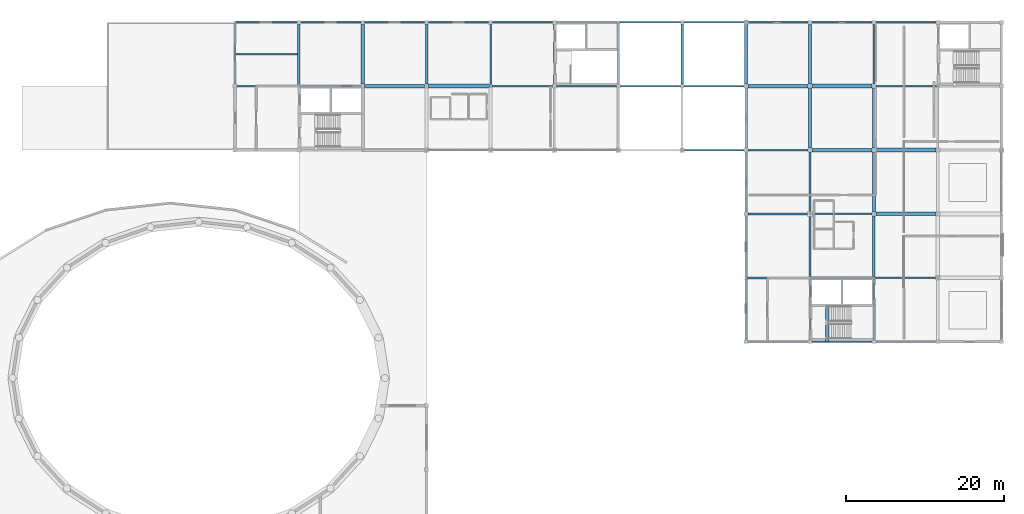
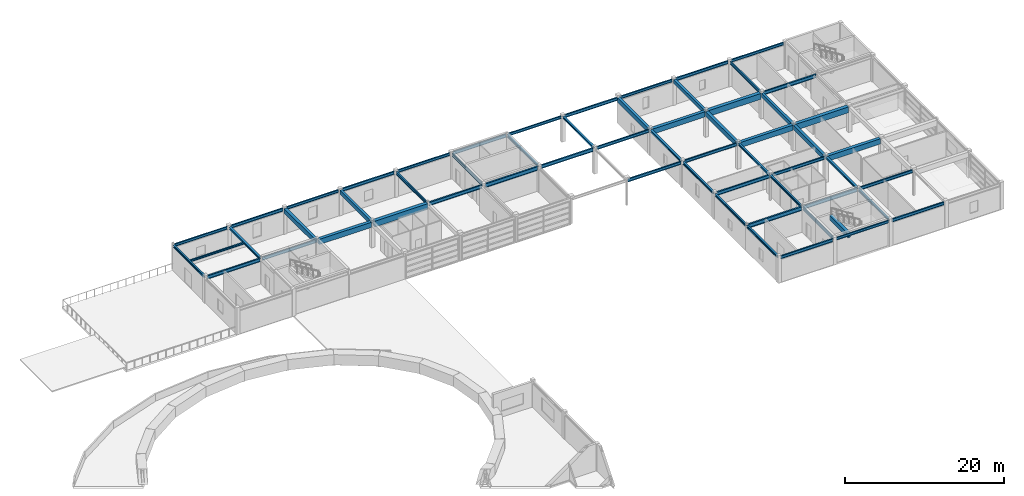
# One storey, part 12 of 26: 60 beams.
"""IFC4 building model written with IfcOpenShell, lengths in metres."""

from ifc_helpers import new_model, si_unit, direction, frame, origin, origin_2d, place, context, subcontext, project, spatial, rectangle, i_section, extrude, material, material_profile, profile_set, type_object, element, save


model = new_model("IFC4")

# Units and contexts
model_context = context("Model", 3, precision=1e-05, world=origin(), true_north=direction((0.0, 1.0)))
body_context = subcontext(model_context, "Body", "Model", "MODEL_VIEW")
ifc_project = project(units=[si_unit("LENGTHUNIT", "METRE"), si_unit("AREAUNIT", "SQUARE_METRE"), si_unit("VOLUMEUNIT", "CUBIC_METRE"), si_unit("PLANEANGLEUNIT", "RADIAN"), si_unit("MASSUNIT", "GRAM", prefix="KILO")], contexts=[model_context])

# Site, building, storey
site_placement = place(None, origin())
site = spatial("IfcSite", under=ifc_project, at=site_placement, CompositionType="ELEMENT")
building_placement = place(site_placement, origin())
building = spatial("IfcBuilding", under=site, at=building_placement, Name="Parian Resonance Hall", CompositionType="ELEMENT")
storey_placement = place(building_placement, frame((0.0, 0.0, 19.199951171875)))
storey = spatial("IfcBuildingStorey", under=building, at=storey_placement, Name="L04", CompositionType="ELEMENT", Elevation=19.199951171875)

# Beams
ifc_material_1 = material(Name="Concrete C40/50", Category="concrete")
ifc_material_profile_1 = material_profile(ifc_material_1, rectangle(XDim=0.35009765625, YDim=0.60009765625, at=origin_2d()), Name="RC-BM-350x600")
ifc_profile_set_1 = profile_set([ifc_material_profile_1], Name="Concrete C40/50")
beam_type_1 = type_object("IfcBeamType", Name="BM-RC350x600", PredefinedType="BEAM", material=ifc_profile_set_1)
for number, where, z_axis, x_axis, name in (
    (1, (72.89990234375, 81.25, 3.66015625), (0.0, 1.0, 0.0), (-1.0, 0.0, 0.0), "GY-L04-0979"),
    (2, (121.5, 81.25, 3.66015625), (0.0, 1.0, 0.0), (-1.0, 0.0, 0.0), "GY-L04-0997"),
    (3, (129.60009765625, 73.14990234375, 3.66015625), (0.0, 1.0, 0.0), (-1.0, 0.0, 0.0), "GY-L04-1001"),
):
    element("IfcBeam", number, at=place(storey_placement, frame(where, z_axis=z_axis, x_axis=x_axis)), inside=storey, type_object=beam_type_1, Name=name, PredefinedType="BEAM", context=body_context, shape_type="SweptSolid", body=[
        extrude(rectangle(XDim=0.35009765625, YDim=0.60009765625, at=origin_2d()), origin(), (0.0, 0.0, 1.0), 7.60009765625),
    ])
ifc_material_2 = material(Name="Concrete C40/50", Category="concrete")
ifc_material_profile_2 = material_profile(ifc_material_2, rectangle(XDim=0.39990234375, YDim=0.699951171875, at=origin_2d()), Name="RC-BM-400x700")
ifc_profile_set_2 = profile_set([ifc_material_profile_2], Name="Concrete C40/50")
beam_type_2 = type_object("IfcBeamType", Name="BM-RC400x700", PredefinedType="BEAM", material=ifc_profile_set_2)
beam_1_placement = place(storey_placement, frame((64.800048828125, 81.25, 3.610107421875), z_axis=(0.0, 1.0, 0.0), x_axis=(-1.0, 0.0, 0.0)))
element("IfcBeam", 4, at=beam_1_placement, inside=storey, type_object=beam_type_2, Name="GY-L04-0974", PredefinedType="BEAM", context=body_context, shape_type="SweptSolid", body=[
    extrude(rectangle(XDim=0.39990234375, YDim=0.699951171875, at=origin_2d()), origin(), (0.0, 0.0, 1.0), 7.60009765625),
])
beam_2_placement = place(storey_placement, frame((113.39990234375, 81.25, 3.610107421875), z_axis=(0.0, 1.0, 0.0), x_axis=(-1.0, 0.0, 0.0)))
element("IfcBeam", 5, at=beam_2_placement, inside=storey, type_object=beam_type_2, Name="GY-L04-0992", PredefinedType="BEAM", context=body_context, shape_type="SweptSolid", body=[
    extrude(rectangle(XDim=0.39990234375, YDim=0.699951171875, at=origin_2d()), origin(), (0.0, 0.0, 1.0), 7.72509765625),
])
beam_3_placement = place(storey_placement, frame((121.5, 73.14990234375, 3.610107421875), z_axis=(0.0, 1.0, 0.0), x_axis=(-1.0, 0.0, 0.0)))
element("IfcBeam", 6, at=beam_3_placement, inside=storey, type_object=beam_type_2, Name="GY-L04-0996", PredefinedType="BEAM", context=body_context, shape_type="SweptSolid", body=[
    extrude(rectangle(XDim=0.39990234375, YDim=0.699951171875, at=origin_2d()), origin(), (0.0, 0.0, 1.0), 7.60009765625),
])
beam_4_placement = place(storey_placement, frame((129.60009765625, 65.050048828125, 3.610107421875), z_axis=(0.0, 1.0, 0.0), x_axis=(-1.0, 0.0, 0.0)))
element("IfcBeam", 7, at=beam_4_placement, inside=storey, type_object=beam_type_2, Name="GY-L04-1000", PredefinedType="BEAM", context=body_context, shape_type="SweptSolid", body=[
    extrude(rectangle(XDim=0.39990234375, YDim=0.699951171875, at=origin_2d()), origin(), (0.0, 0.0, 1.0), 7.599853515625),
])
beam_5_placement = place(storey_placement, frame((123.659912109375, 48.60009765625, 3.610107421875), z_axis=(0.0, 1.0, 0.0), x_axis=(-1.0, 0.0, 0.0)))
element("IfcBeam", 8, at=beam_5_placement, inside=storey, type_object=beam_type_2, Name="Core K2 stair arrival trimmer beam L04", PredefinedType="BEAM", context=body_context, shape_type="SweptSolid", body=[
    extrude(rectangle(XDim=0.39990234375, YDim=0.699951171875, at=origin_2d()), origin(), (0.0, 0.0, 1.0), 4.64990234375),
])
ifc_material_3 = material(Name="Concrete C40/50", Category="concrete")
ifc_material_profile_3 = material_profile(ifc_material_3, rectangle(XDim=0.449951171875, YDim=0.800048828125, at=origin_2d()), Name="RC-BM-450x800")
ifc_profile_set_3 = profile_set([ifc_material_profile_3], Name="Concrete C40/50")
beam_type_3 = type_object("IfcBeamType", Name="BM-RC450x800", PredefinedType="USERDEFINED", material=ifc_profile_set_3)
beam_6_placement = place(storey_placement, frame((65.050048828125, 81.0, 3.56005859375), z_axis=(1.0, 0.0, 0.0), x_axis=(0.0, 1.0, 0.0)))
element("IfcBeam", 9, at=beam_6_placement, inside=storey, type_object=beam_type_3, Name="GX-L04-0927", ObjectType="GIRDER", PredefinedType="USERDEFINED", context=body_context, shape_type="SweptSolid", body=[
    extrude(rectangle(XDim=0.449951171875, YDim=0.800048828125, at=origin_2d()), origin(), (0.0, 0.0, 1.0), 7.599853515625),
])
for number, where, z_axis, x_axis, name in (
    (10, (113.64990234375, 81.0, 3.56005859375), (1.0, 0.0, 0.0), (0.0, 1.0, 0.0), "GX-L04-0948"),
    (11, (121.75, 72.89990234375, 3.56005859375), (1.0, 0.0, 0.0), (0.0, 1.0, 0.0), "GX-L04-0953"),
):
    element("IfcBeam", number, at=place(storey_placement, frame(where, z_axis=z_axis, x_axis=x_axis)), inside=storey, type_object=beam_type_3, Name=name, ObjectType="GIRDER", PredefinedType="USERDEFINED", context=body_context, shape_type="SweptSolid", body=[
        extrude(rectangle(XDim=0.449951171875, YDim=0.800048828125, at=origin_2d()), origin(), (0.0, 0.0, 1.0), 7.60009765625),
    ])
beam_7_placement = place(storey_placement, frame((129.85009765625, 64.800048828125, 3.56005859375), z_axis=(1.0, 0.0, 0.0), x_axis=(0.0, 1.0, 0.0)))
element("IfcBeam", 12, at=beam_7_placement, inside=storey, type_object=beam_type_3, Name="GX-L04-0958", ObjectType="GIRDER", PredefinedType="USERDEFINED", context=body_context, shape_type="SweptSolid", body=[
    extrude(rectangle(XDim=0.449951171875, YDim=0.800048828125, at=origin_2d()), origin(), (0.0, 0.0, 1.0), 7.599853515625),
])
ifc_material_4 = material(Name="Concrete C40/50", Category="concrete")
ifc_material_profile_4 = material_profile(ifc_material_4, rectangle(XDim=0.5, YDim=0.89990234375, at=origin_2d()), Name="RC-BM-500x900")
ifc_profile_set_4 = profile_set([ifc_material_profile_4], Name="Concrete C40/50")
beam_type_4 = type_object("IfcBeamType", Name="BM-RC500x900", PredefinedType="USERDEFINED", material=ifc_profile_set_4)
beam_8_placement = place(storey_placement, frame((73.14990234375, 81.0, 3.510009765625), z_axis=(1.0, 0.0, 0.0), x_axis=(0.0, 1.0, 0.0)))
element("IfcBeam", 13, at=beam_8_placement, inside=storey, type_object=beam_type_4, Name="GX-L04-0930", ObjectType="GIRDER", PredefinedType="USERDEFINED", context=body_context, shape_type="SweptSolid", body=[
    extrude(rectangle(XDim=0.5, YDim=0.89990234375, at=origin_2d()), origin(), (0.0, 0.0, 1.0), 7.697509765625),
])
beam_9_placement = place(storey_placement, frame((121.75, 81.0, 3.510009765625), z_axis=(1.0, 0.0, 0.0), x_axis=(0.0, 1.0, 0.0)))
element("IfcBeam", 14, at=beam_9_placement, inside=storey, type_object=beam_type_4, Name="GX-L04-0954", ObjectType="GIRDER", PredefinedType="USERDEFINED", context=body_context, shape_type="SweptSolid", body=[
    extrude(rectangle(XDim=0.5, YDim=0.89990234375, at=origin_2d()), origin(), (0.0, 0.0, 1.0), 7.60009765625),
])
beam_10_placement = place(storey_placement, frame((129.85009765625, 72.89990234375, 3.510009765625), z_axis=(1.0, 0.0, 0.0), x_axis=(0.0, 1.0, 0.0)))
element("IfcBeam", 15, at=beam_10_placement, inside=storey, type_object=beam_type_4, Name="GX-L04-0959", ObjectType="GIRDER", PredefinedType="USERDEFINED", context=body_context, shape_type="SweptSolid", body=[
    extrude(rectangle(XDim=0.5, YDim=0.89990234375, at=origin_2d()), origin(), (0.0, 0.0, 1.0), 7.599853515625),
])
ifc_material_5 = material(Name="Steel S355", Category="steel")
ifc_material_profile_5 = material_profile(ifc_material_5, i_section(OverallWidth=0.202880859375, OverallDepth=0.302978515625, WebThickness=0.007568359375, FlangeThickness=0.01318359375, FilletRadius=0.01513671875, at=origin_2d()), Name="W310x60")
ifc_profile_set_5 = profile_set([ifc_material_profile_5], Name="Steel S355")
beam_type_5 = type_object("IfcBeamType", Name="BM-W310x60", PredefinedType="JOIST", material=ifc_profile_set_5)
beam_11_placement = place(storey_placement, frame((48.7275390625, 85.050048828125, 3.80859375), z_axis=(1.0, 0.0, 0.0), x_axis=(0.0, 1.0, 0.0)))
element("IfcBeam", 16, at=beam_11_placement, inside=storey, type_object=beam_type_5, Name="JS-L04-1013", PredefinedType="JOIST", context=body_context, shape_type="SweptSolid", body=[
    extrude(i_section(OverallWidth=0.202880859375, OverallDepth=0.302978515625, WebThickness=0.007568359375, FlangeThickness=0.01318359375, FilletRadius=0.01513671875, at=origin_2d()), origin(), (0.0, 0.0, 1.0), 7.820068359375),
])
ifc_material_6 = material(Name="Steel S355", Category="steel")
ifc_material_profile_6 = material_profile(ifc_material_6, i_section(OverallWidth=0.304931640625, OverallDepth=0.30810546875, WebThickness=0.010009765625, FlangeThickness=0.015380859375, FilletRadius=0.01513671875, at=origin_2d()), Name="W310x97")
ifc_profile_set_6 = profile_set([ifc_material_profile_6], Name="Steel S355")
beam_type_6 = type_object("IfcBeamType", Name="BM-W310x97", PredefinedType="BEAM", material=ifc_profile_set_6)
beam_12_placement = place(storey_placement, frame((56.699951171875, 81.154052734375, 3.80615234375), z_axis=(0.0, 1.0, 0.0), x_axis=(-1.0, 0.0, 0.0)))
element("IfcBeam", 17, at=beam_12_placement, inside=storey, type_object=beam_type_6, Name="GY-L04-0971", PredefinedType="BEAM", context=body_context, shape_type="SweptSolid", body=[
    extrude(i_section(OverallWidth=0.304931640625, OverallDepth=0.30810546875, WebThickness=0.010009765625, FlangeThickness=0.015380859375, FilletRadius=0.01513671875, at=origin_2d()), origin(), (0.0, 0.0, 1.0), 7.696044921875),
])
for number, where, z_axis, x_axis, name in (
    (18, (105.300048828125, 81.25, 3.80615234375), (0.0, 1.0, 0.0), (-1.0, 0.0, 0.0), "GY-L04-0987"),
    (19, (113.39990234375, 73.14990234375, 3.80615234375), (0.0, 1.0, 0.0), (-1.0, 0.0, 0.0), "GY-L04-0991"),
):
    element("IfcBeam", number, at=place(storey_placement, frame(where, z_axis=z_axis, x_axis=x_axis)), inside=storey, type_object=beam_type_6, Name=name, PredefinedType="BEAM", context=body_context, shape_type="SweptSolid", body=[
        extrude(i_section(OverallWidth=0.304931640625, OverallDepth=0.30810546875, WebThickness=0.010009765625, FlangeThickness=0.015380859375, FilletRadius=0.01513671875, at=origin_2d()), origin(), (0.0, 0.0, 1.0), 7.60009765625),
    ])
beam_13_placement = place(storey_placement, frame((121.5, 64.925048828125, 3.80615234375), z_axis=(0.0, 1.0, 0.0), x_axis=(-1.0, 0.0, 0.0)))
element("IfcBeam", 20, at=beam_13_placement, inside=storey, type_object=beam_type_6, Name="GY-L04-0995", PredefinedType="BEAM", context=body_context, shape_type="SweptSolid", body=[
    extrude(i_section(OverallWidth=0.304931640625, OverallDepth=0.30810546875, WebThickness=0.010009765625, FlangeThickness=0.015380859375, FilletRadius=0.01513671875, at=origin_2d()), origin(), (0.0, 0.0, 1.0), 7.724853515625),
])
beam_14_placement = place(storey_placement, frame((129.60009765625, 56.85400390625, 3.80615234375), z_axis=(0.0, 1.0, 0.0), x_axis=(-1.0, 0.0, 0.0)))
element("IfcBeam", 21, at=beam_14_placement, inside=storey, type_object=beam_type_6, Name="GY-L04-0999", PredefinedType="BEAM", context=body_context, shape_type="SweptSolid", body=[
    extrude(i_section(OverallWidth=0.304931640625, OverallDepth=0.30810546875, WebThickness=0.010009765625, FlangeThickness=0.015380859375, FilletRadius=0.01513671875, at=origin_2d()), origin(), (0.0, 0.0, 1.0), 7.696044921875),
])
ifc_material_7 = material(Name="Steel S355", Category="steel")
ifc_material_profile_7 = material_profile(ifc_material_7, i_section(OverallWidth=0.2548828125, OverallDepth=0.35693359375, WebThickness=0.010498046875, FlangeThickness=0.018310546875, FilletRadius=0.01513671875, at=origin_2d()), Name="W360x101")
ifc_profile_set_7 = profile_set([ifc_material_profile_7], Name="Steel S355")
beam_type_7 = type_object("IfcBeamType", Name="BM-W360x101", PredefinedType="SPANDREL", material=ifc_profile_set_7)
for number, where, z_axis, x_axis, name in (
    (22, (48.60009765625, 81.25, 3.781494140625), (0.0, 1.0, 0.0), (-1.0, 0.0, 0.0), "GY-L04-0969"),
    (23, (97.199951171875, 81.25, 3.781494140625), (0.0, 1.0, 0.0), (-1.0, 0.0, 0.0), "GY-L04-0985"),
):
    element("IfcBeam", number, at=place(storey_placement, frame(where, z_axis=z_axis, x_axis=x_axis)), inside=storey, type_object=beam_type_7, Name=name, PredefinedType="SPANDREL", context=body_context, shape_type="SweptSolid", body=[
        extrude(i_section(OverallWidth=0.2548828125, OverallDepth=0.35693359375, WebThickness=0.010498046875, FlangeThickness=0.018310546875, FilletRadius=0.01513671875, at=origin_2d()), origin(), (0.0, 0.0, 1.0), 7.696044921875),
    ])
beam_15_placement = place(storey_placement, frame((113.39990234375, 48.85009765625, 3.781494140625), z_axis=(0.0, 1.0, 0.0), x_axis=(-1.0, 0.0, 0.0)))
element("IfcBeam", 24, at=beam_15_placement, inside=storey, type_object=beam_type_7, Name="GY-L04-0988", PredefinedType="SPANDREL", context=body_context, shape_type="SweptSolid", body=[
    extrude(i_section(OverallWidth=0.2548828125, OverallDepth=0.35693359375, WebThickness=0.010498046875, FlangeThickness=0.018310546875, FilletRadius=0.01513671875, at=origin_2d()), origin(), (0.0, 0.0, 1.0), 7.69580078125),
])
beam_16_placement = place(storey_placement, frame((113.39990234375, 56.85400390625, 3.781494140625), z_axis=(0.0, 1.0, 0.0), x_axis=(-1.0, 0.0, 0.0)))
element("IfcBeam", 25, at=beam_16_placement, inside=storey, type_object=beam_type_7, Name="GY-L04-0989", PredefinedType="SPANDREL", context=body_context, shape_type="SweptSolid", body=[
    extrude(i_section(OverallWidth=0.2548828125, OverallDepth=0.35693359375, WebThickness=0.010498046875, FlangeThickness=0.018310546875, FilletRadius=0.01513671875, at=origin_2d()), origin(), (0.0, 0.0, 1.0), 7.696044921875),
])
beam_17_placement = place(storey_placement, frame((113.39990234375, 65.050048828125, 3.781494140625), z_axis=(0.0, 1.0, 0.0), x_axis=(-1.0, 0.0, 0.0)))
element("IfcBeam", 26, at=beam_17_placement, inside=storey, type_object=beam_type_7, Name="GY-L04-0990", PredefinedType="SPANDREL", context=body_context, shape_type="SweptSolid", body=[
    extrude(i_section(OverallWidth=0.2548828125, OverallDepth=0.35693359375, WebThickness=0.010498046875, FlangeThickness=0.018310546875, FilletRadius=0.01513671875, at=origin_2d()), origin(), (0.0, 0.0, 1.0), 7.599853515625),
])
beam_18_placement = place(storey_placement, frame((121.5, 56.85400390625, 3.781494140625), z_axis=(0.0, 1.0, 0.0), x_axis=(-1.0, 0.0, 0.0)))
element("IfcBeam", 27, at=beam_18_placement, inside=storey, type_object=beam_type_7, Name="GY-L04-0994", PredefinedType="SPANDREL", context=body_context, shape_type="SweptSolid", body=[
    extrude(i_section(OverallWidth=0.2548828125, OverallDepth=0.35693359375, WebThickness=0.010498046875, FlangeThickness=0.018310546875, FilletRadius=0.01513671875, at=origin_2d()), origin(), (0.0, 0.0, 1.0), 7.821044921875),
])
beam_19_placement = place(storey_placement, frame((129.60009765625, 48.85009765625, 3.781494140625), z_axis=(0.0, 1.0, 0.0), x_axis=(-1.0, 0.0, 0.0)))
element("IfcBeam", 28, at=beam_19_placement, inside=storey, type_object=beam_type_7, Name="GY-L04-0998", PredefinedType="SPANDREL", context=body_context, shape_type="SweptSolid", body=[
    extrude(i_section(OverallWidth=0.2548828125, OverallDepth=0.35693359375, WebThickness=0.010498046875, FlangeThickness=0.018310546875, FilletRadius=0.01513671875, at=origin_2d()), origin(), (0.0, 0.0, 1.0), 7.69580078125),
])
ifc_material_8 = material(Name="Steel S355", Category="steel")
ifc_material_profile_8 = material_profile(ifc_material_8, i_section(OverallWidth=0.180908203125, OverallDepth=0.4169921875, WebThickness=0.010986328125, FlangeThickness=0.018310546875, FilletRadius=0.01513671875, at=origin_2d()), Name="W410x85")
ifc_profile_set_8 = profile_set([ifc_material_profile_8], Name="Steel S355")
beam_type_8 = type_object("IfcBeamType", Name="BM-W410x85", PredefinedType="SPANDREL", material=ifc_profile_set_8)
beam_20_placement = place(storey_placement, frame((48.75244140625, 89.10009765625, 3.75146484375), z_axis=(1.0, 0.0, 0.0), x_axis=(0.0, 1.0, 0.0)))
element("IfcBeam", 29, at=beam_20_placement, inside=storey, type_object=beam_type_8, Name="GX-L04-0920", PredefinedType="SPANDREL", context=body_context, shape_type="SweptSolid", body=[
    extrude(i_section(OverallWidth=0.180908203125, OverallDepth=0.4169921875, WebThickness=0.010986328125, FlangeThickness=0.018310546875, FilletRadius=0.01513671875, at=origin_2d()), origin(), (0.0, 0.0, 1.0), 7.697509765625),
])
beam_21_placement = place(storey_placement, frame((65.050048828125, 89.10009765625, 3.75146484375), z_axis=(1.0, 0.0, 0.0), x_axis=(0.0, 1.0, 0.0)))
element("IfcBeam", 30, at=beam_21_placement, inside=storey, type_object=beam_type_8, Name="GX-L04-0928", PredefinedType="SPANDREL", context=body_context, shape_type="SweptSolid", body=[
    extrude(i_section(OverallWidth=0.180908203125, OverallDepth=0.4169921875, WebThickness=0.010986328125, FlangeThickness=0.018310546875, FilletRadius=0.01513671875, at=origin_2d()), origin(), (0.0, 0.0, 1.0), 7.599853515625),
])
beam_22_placement = place(storey_placement, frame((81.25, 89.10009765625, 3.75146484375), z_axis=(1.0, 0.0, 0.0), x_axis=(0.0, 1.0, 0.0)))
element("IfcBeam", 31, at=beam_22_placement, inside=storey, type_object=beam_type_8, Name="GX-L04-0934", PredefinedType="SPANDREL", context=body_context, shape_type="SweptSolid", body=[
    extrude(i_section(OverallWidth=0.180908203125, OverallDepth=0.4169921875, WebThickness=0.010986328125, FlangeThickness=0.018310546875, FilletRadius=0.01513671875, at=origin_2d()), origin(), (0.0, 0.0, 1.0), 7.60009765625),
])
beam_23_placement = place(storey_placement, frame((97.3525390625, 89.10009765625, 3.75146484375), z_axis=(1.0, 0.0, 0.0), x_axis=(0.0, 1.0, 0.0)))
element("IfcBeam", 32, at=beam_23_placement, inside=storey, type_object=beam_type_8, Name="GX-L04-0940", PredefinedType="SPANDREL", context=body_context, shape_type="SweptSolid", body=[
    extrude(i_section(OverallWidth=0.180908203125, OverallDepth=0.4169921875, WebThickness=0.010986328125, FlangeThickness=0.018310546875, FilletRadius=0.01513671875, at=origin_2d()), origin(), (0.0, 0.0, 1.0), 7.697509765625),
])
beam_24_placement = place(storey_placement, frame((113.52490234375, 89.10009765625, 3.75146484375), z_axis=(1.0, 0.0, 0.0), x_axis=(0.0, 1.0, 0.0)))
element("IfcBeam", 33, at=beam_24_placement, inside=storey, type_object=beam_type_8, Name="GX-L04-0949", PredefinedType="SPANDREL", context=body_context, shape_type="SweptSolid", body=[
    extrude(i_section(OverallWidth=0.180908203125, OverallDepth=0.4169921875, WebThickness=0.010986328125, FlangeThickness=0.018310546875, FilletRadius=0.01513671875, at=origin_2d()), origin(), (0.0, 0.0, 1.0), 7.72509765625),
])
beam_25_placement = place(storey_placement, frame((121.75, 48.60009765625, 3.75146484375), z_axis=(1.0, 0.0, 0.0), x_axis=(0.0, 1.0, 0.0)))
element("IfcBeam", 34, at=beam_25_placement, inside=storey, type_object=beam_type_8, Name="GX-L04-0950", PredefinedType="SPANDREL", context=body_context, shape_type="SweptSolid", body=[
    extrude(i_section(OverallWidth=0.180908203125, OverallDepth=0.4169921875, WebThickness=0.010986328125, FlangeThickness=0.018310546875, FilletRadius=0.01513671875, at=origin_2d()), origin(), (0.0, 0.0, 1.0), 7.60009765625),
])
beam_26_placement = place(storey_placement, frame((129.85009765625, 89.10009765625, 3.75146484375), z_axis=(1.0, 0.0, 0.0), x_axis=(0.0, 1.0, 0.0)))
element("IfcBeam", 35, at=beam_26_placement, inside=storey, type_object=beam_type_8, Name="GX-L04-0961", PredefinedType="SPANDREL", context=body_context, shape_type="SweptSolid", body=[
    extrude(i_section(OverallWidth=0.180908203125, OverallDepth=0.4169921875, WebThickness=0.010986328125, FlangeThickness=0.018310546875, FilletRadius=0.01513671875, at=origin_2d()), origin(), (0.0, 0.0, 1.0), 7.599853515625),
])
beam_27_placement = place(storey_placement, frame((89.10009765625, 81.25, 3.75146484375), z_axis=(0.0, 1.0, 0.0), x_axis=(-1.0, 0.0, 0.0)))
element("IfcBeam", 36, at=beam_27_placement, inside=storey, type_object=beam_type_8, Name="GY-L04-0983", PredefinedType="SPANDREL", context=body_context, shape_type="SweptSolid", body=[
    extrude(i_section(OverallWidth=0.180908203125, OverallDepth=0.4169921875, WebThickness=0.010986328125, FlangeThickness=0.018310546875, FilletRadius=0.01513671875, at=origin_2d()), origin(), (0.0, 0.0, 1.0), 7.60009765625),
])
beam_28_placement = place(storey_placement, frame((121.5, 48.85009765625, 3.75146484375), z_axis=(0.0, 1.0, 0.0), x_axis=(-1.0, 0.0, 0.0)))
element("IfcBeam", 37, at=beam_28_placement, inside=storey, type_object=beam_type_8, Name="GY-L04-0993", PredefinedType="SPANDREL", context=body_context, shape_type="SweptSolid", body=[
    extrude(i_section(OverallWidth=0.180908203125, OverallDepth=0.4169921875, WebThickness=0.010986328125, FlangeThickness=0.018310546875, FilletRadius=0.01513671875, at=origin_2d()), origin(), (0.0, 0.0, 1.0), 7.69580078125),
])
ifc_material_9 = material(Name="Steel S355", Category="steel")
ifc_material_profile_9 = material_profile(ifc_material_9, i_section(OverallWidth=0.194091796875, OverallDepth=0.468994140625, WebThickness=0.0126953125, FlangeThickness=0.0205078125, FilletRadius=0.01513671875, at=origin_2d()), Name="W460x106")
ifc_profile_set_9 = profile_set([ifc_material_profile_9], Name="Steel S355")
beam_type_9 = type_object("IfcBeamType", Name="BM-W460x106", PredefinedType="SPANDREL", material=ifc_profile_set_9)
for number, where, z_axis, x_axis, name in (
    (38, (56.949951171875, 89.10009765625, 3.7255859375), (1.0, 0.0, 0.0), (0.0, 1.0, 0.0), "GX-L04-0923"),
    (39, (73.14990234375, 89.10009765625, 3.7255859375), (1.0, 0.0, 0.0), (0.0, 1.0, 0.0), "GX-L04-0931"),
):
    element("IfcBeam", number, at=place(storey_placement, frame(where, z_axis=z_axis, x_axis=x_axis)), inside=storey, type_object=beam_type_9, Name=name, PredefinedType="SPANDREL", context=body_context, shape_type="SweptSolid", body=[
        extrude(i_section(OverallWidth=0.194091796875, OverallDepth=0.468994140625, WebThickness=0.0126953125, FlangeThickness=0.0205078125, FilletRadius=0.01513671875, at=origin_2d()), origin(), (0.0, 0.0, 1.0), 7.60009765625),
    ])
beam_29_placement = place(storey_placement, frame((89.35009765625, 89.10009765625, 3.7255859375), z_axis=(1.0, 0.0, 0.0), x_axis=(0.0, 1.0, 0.0)))
element("IfcBeam", 40, at=beam_29_placement, inside=storey, type_object=beam_type_9, Name="GX-L04-0937", PredefinedType="SPANDREL", context=body_context, shape_type="SweptSolid", body=[
    extrude(i_section(OverallWidth=0.194091796875, OverallDepth=0.468994140625, WebThickness=0.0126953125, FlangeThickness=0.0205078125, FilletRadius=0.01513671875, at=origin_2d()), origin(), (0.0, 0.0, 1.0), 7.697509765625),
])
for number, where, z_axis, x_axis, name in (
    (41, (105.425048828125, 72.89990234375, 3.7255859375), (1.0, 0.0, 0.0), (0.0, 1.0, 0.0), "GX-L04-0941"),
    (42, (105.550048828125, 89.10009765625, 3.7255859375), (1.0, 0.0, 0.0), (0.0, 1.0, 0.0), "GX-L04-0943"),
):
    element("IfcBeam", number, at=place(storey_placement, frame(where, z_axis=z_axis, x_axis=x_axis)), inside=storey, type_object=beam_type_9, Name=name, PredefinedType="SPANDREL", context=body_context, shape_type="SweptSolid", body=[
        extrude(i_section(OverallWidth=0.194091796875, OverallDepth=0.468994140625, WebThickness=0.0126953125, FlangeThickness=0.0205078125, FilletRadius=0.01513671875, at=origin_2d()), origin(), (0.0, 0.0, 1.0), 7.724853515625),
    ])
for number, where, z_axis, x_axis, name in (
    (43, (113.64990234375, 48.60009765625, 3.7255859375), (1.0, 0.0, 0.0), (0.0, 1.0, 0.0), "GX-L04-0944"),
    (44, (121.75, 89.10009765625, 3.7255859375), (1.0, 0.0, 0.0), (0.0, 1.0, 0.0), "GX-L04-0955"),
):
    element("IfcBeam", number, at=place(storey_placement, frame(where, z_axis=z_axis, x_axis=x_axis)), inside=storey, type_object=beam_type_9, Name=name, PredefinedType="SPANDREL", context=body_context, shape_type="SweptSolid", body=[
        extrude(i_section(OverallWidth=0.194091796875, OverallDepth=0.468994140625, WebThickness=0.0126953125, FlangeThickness=0.0205078125, FilletRadius=0.01513671875, at=origin_2d()), origin(), (0.0, 0.0, 1.0), 7.60009765625),
    ])
beam_30_placement = place(storey_placement, frame((129.85009765625, 48.60009765625, 3.7255859375), z_axis=(1.0, 0.0, 0.0), x_axis=(0.0, 1.0, 0.0)))
element("IfcBeam", 45, at=beam_30_placement, inside=storey, type_object=beam_type_9, Name="GX-L04-0956", PredefinedType="SPANDREL", context=body_context, shape_type="SweptSolid", body=[
    extrude(i_section(OverallWidth=0.194091796875, OverallDepth=0.468994140625, WebThickness=0.0126953125, FlangeThickness=0.0205078125, FilletRadius=0.01513671875, at=origin_2d()), origin(), (0.0, 0.0, 1.0), 7.599853515625),
])
beam_31_placement = place(storey_placement, frame((81.0, 81.154052734375, 3.7255859375), z_axis=(0.0, 1.0, 0.0), x_axis=(-1.0, 0.0, 0.0)))
element("IfcBeam", 46, at=beam_31_placement, inside=storey, type_object=beam_type_9, Name="GY-L04-0981", PredefinedType="SPANDREL", context=body_context, shape_type="SweptSolid", body=[
    extrude(i_section(OverallWidth=0.194091796875, OverallDepth=0.468994140625, WebThickness=0.0126953125, FlangeThickness=0.0205078125, FilletRadius=0.01513671875, at=origin_2d()), origin(), (0.0, 0.0, 1.0), 7.696044921875),
])
beam_32_placement = place(storey_placement, frame((129.60009765625, 81.25, 3.7255859375), z_axis=(0.0, 1.0, 0.0), x_axis=(-1.0, 0.0, 0.0)))
element("IfcBeam", 47, at=beam_32_placement, inside=storey, type_object=beam_type_9, Name="GY-L04-1002", PredefinedType="SPANDREL", context=body_context, shape_type="SweptSolid", body=[
    extrude(i_section(OverallWidth=0.194091796875, OverallDepth=0.468994140625, WebThickness=0.0126953125, FlangeThickness=0.0205078125, FilletRadius=0.01513671875, at=origin_2d()), origin(), (0.0, 0.0, 1.0), 7.60009765625),
])
ifc_material_10 = material(Name="Steel S355", Category="steel")
ifc_material_profile_10 = material_profile(ifc_material_10, i_section(OverallWidth=0.19091796875, OverallDepth=0.4599609375, WebThickness=0.010009765625, FlangeThickness=0.01611328125, FilletRadius=0.01513671875, at=origin_2d()), Name="W460x82")
ifc_profile_set_10 = profile_set([ifc_material_profile_10], Name="Steel S355")
beam_type_10 = type_object("IfcBeamType", Name="BM-W460x82", PredefinedType="BEAM", material=ifc_profile_set_10)
beam_33_placement = place(storey_placement, frame((56.8525390625, 81.0, 3.72998046875), z_axis=(1.0, 0.0, 0.0), x_axis=(0.0, 1.0, 0.0)))
element("IfcBeam", 48, at=beam_33_placement, inside=storey, type_object=beam_type_10, Name="GX-L04-0922", PredefinedType="BEAM", context=body_context, shape_type="SweptSolid", body=[
    extrude(i_section(OverallWidth=0.19091796875, OverallDepth=0.4599609375, WebThickness=0.010009765625, FlangeThickness=0.01611328125, FilletRadius=0.01513671875, at=origin_2d()), origin(), (0.0, 0.0, 1.0), 7.697509765625),
])
beam_34_placement = place(storey_placement, frame((105.550048828125, 81.0, 3.72998046875), z_axis=(1.0, 0.0, 0.0), x_axis=(0.0, 1.0, 0.0)))
element("IfcBeam", 49, at=beam_34_placement, inside=storey, type_object=beam_type_10, Name="GX-L04-0942", PredefinedType="BEAM", context=body_context, shape_type="SweptSolid", body=[
    extrude(i_section(OverallWidth=0.19091796875, OverallDepth=0.4599609375, WebThickness=0.010009765625, FlangeThickness=0.01611328125, FilletRadius=0.01513671875, at=origin_2d()), origin(), (0.0, 0.0, 1.0), 7.599853515625),
])
beam_35_placement = place(storey_placement, frame((113.64990234375, 72.89990234375, 3.72998046875), z_axis=(1.0, 0.0, 0.0), x_axis=(0.0, 1.0, 0.0)))
element("IfcBeam", 50, at=beam_35_placement, inside=storey, type_object=beam_type_10, Name="GX-L04-0947", PredefinedType="BEAM", context=body_context, shape_type="SweptSolid", body=[
    extrude(i_section(OverallWidth=0.19091796875, OverallDepth=0.4599609375, WebThickness=0.010009765625, FlangeThickness=0.01611328125, FilletRadius=0.01513671875, at=origin_2d()), origin(), (0.0, 0.0, 1.0), 7.60009765625),
])
beam_36_placement = place(storey_placement, frame((121.625, 64.800048828125, 3.72998046875), z_axis=(1.0, 0.0, 0.0), x_axis=(0.0, 1.0, 0.0)))
element("IfcBeam", 51, at=beam_36_placement, inside=storey, type_object=beam_type_10, Name="GX-L04-0952", PredefinedType="BEAM", context=body_context, shape_type="SweptSolid", body=[
    extrude(i_section(OverallWidth=0.19091796875, OverallDepth=0.4599609375, WebThickness=0.010009765625, FlangeThickness=0.01611328125, FilletRadius=0.01513671875, at=origin_2d()), origin(), (0.0, 0.0, 1.0), 7.72509765625),
])
beam_37_placement = place(storey_placement, frame((129.75244140625, 56.699951171875, 3.72998046875), z_axis=(1.0, 0.0, 0.0), x_axis=(0.0, 1.0, 0.0)))
element("IfcBeam", 52, at=beam_37_placement, inside=storey, type_object=beam_type_10, Name="GX-L04-0957", PredefinedType="BEAM", context=body_context, shape_type="SweptSolid", body=[
    extrude(i_section(OverallWidth=0.19091796875, OverallDepth=0.4599609375, WebThickness=0.010009765625, FlangeThickness=0.01611328125, FilletRadius=0.01513671875, at=origin_2d()), origin(), (0.0, 0.0, 1.0), 7.822509765625),
])
ifc_material_11 = material(Name="Steel S355", Category="steel")
ifc_material_profile_11 = material_profile(ifc_material_11, i_section(OverallWidth=0.2119140625, OverallDepth=0.5439453125, WebThickness=0.01318359375, FlangeThickness=0.021240234375, FilletRadius=0.017822265625, at=origin_2d()), Name="W530x123")
ifc_profile_set_11 = profile_set([ifc_material_profile_11], Name="Steel S355")
beam_type_11 = type_object("IfcBeamType", Name="BM-W530x123", PredefinedType="USERDEFINED", material=ifc_profile_set_11)
for number, where, z_axis, x_axis, name in (
    (53, (81.152587890625, 81.0, 3.68798828125), (1.0, 0.0, 0.0), (0.0, 1.0, 0.0), "GX-L04-0933"),
    (54, (129.85009765625, 81.0, 3.68798828125), (1.0, 0.0, 0.0), (0.0, 1.0, 0.0), "GX-L04-0960"),
):
    element("IfcBeam", number, at=place(storey_placement, frame(where, z_axis=z_axis, x_axis=x_axis)), inside=storey, type_object=beam_type_11, Name=name, ObjectType="GIRDER", PredefinedType="USERDEFINED", context=body_context, shape_type="SweptSolid", body=[
        extrude(i_section(OverallWidth=0.2119140625, OverallDepth=0.5439453125, WebThickness=0.01318359375, FlangeThickness=0.021240234375, FilletRadius=0.017822265625, at=origin_2d()), origin(), (0.0, 0.0, 1.0), 7.697509765625),
    ])
ifc_material_12 = material(Name="Steel S355", Category="steel")
ifc_material_profile_12 = material_profile(ifc_material_12, i_section(OverallWidth=0.208984375, OverallDepth=0.532958984375, WebThickness=0.01025390625, FlangeThickness=0.015625, FilletRadius=0.017822265625, at=origin_2d()), Name="W530x92")
ifc_profile_set_12 = profile_set([ifc_material_profile_12], Name="Steel S355")
beam_type_12 = type_object("IfcBeamType", Name="BM-W530x92", PredefinedType="BEAM", material=ifc_profile_set_12)
beam_38_placement = place(storey_placement, frame((48.85009765625, 81.0, 3.693603515625), z_axis=(1.0, 0.0, 0.0), x_axis=(0.0, 1.0, 0.0)))
element("IfcBeam", 55, at=beam_38_placement, inside=storey, type_object=beam_type_12, Name="GX-L04-0919", PredefinedType="BEAM", context=body_context, shape_type="SweptSolid", body=[
    extrude(i_section(OverallWidth=0.208984375, OverallDepth=0.532958984375, WebThickness=0.01025390625, FlangeThickness=0.015625, FilletRadius=0.017822265625, at=origin_2d()), origin(), (0.0, 0.0, 1.0), 7.697509765625),
])
beam_39_placement = place(storey_placement, frame((97.449951171875, 81.0, 3.693603515625), z_axis=(1.0, 0.0, 0.0), x_axis=(0.0, 1.0, 0.0)))
element("IfcBeam", 56, at=beam_39_placement, inside=storey, type_object=beam_type_12, Name="GX-L04-0939", PredefinedType="BEAM", context=body_context, shape_type="SweptSolid", body=[
    extrude(i_section(OverallWidth=0.208984375, OverallDepth=0.532958984375, WebThickness=0.01025390625, FlangeThickness=0.015625, FilletRadius=0.017822265625, at=origin_2d()), origin(), (0.0, 0.0, 1.0), 7.60009765625),
])
beam_40_placement = place(storey_placement, frame((113.64990234375, 64.800048828125, 3.693603515625), z_axis=(1.0, 0.0, 0.0), x_axis=(0.0, 1.0, 0.0)))
element("IfcBeam", 57, at=beam_40_placement, inside=storey, type_object=beam_type_12, Name="GX-L04-0946", PredefinedType="BEAM", context=body_context, shape_type="SweptSolid", body=[
    extrude(i_section(OverallWidth=0.208984375, OverallDepth=0.532958984375, WebThickness=0.01025390625, FlangeThickness=0.015625, FilletRadius=0.017822265625, at=origin_2d()), origin(), (0.0, 0.0, 1.0), 7.72509765625),
])
beam_41_placement = place(storey_placement, frame((121.652587890625, 56.699951171875, 3.693603515625), z_axis=(1.0, 0.0, 0.0), x_axis=(0.0, 1.0, 0.0)))
element("IfcBeam", 58, at=beam_41_placement, inside=storey, type_object=beam_type_12, Name="GX-L04-0951", PredefinedType="BEAM", context=body_context, shape_type="SweptSolid", body=[
    extrude(i_section(OverallWidth=0.208984375, OverallDepth=0.532958984375, WebThickness=0.01025390625, FlangeThickness=0.015625, FilletRadius=0.017822265625, at=origin_2d()), origin(), (0.0, 0.0, 1.0), 7.794921875),
])
ifc_material_13 = material(Name="Steel S355", Category="steel")
ifc_material_profile_13 = material_profile(ifc_material_13, i_section(OverallWidth=0.22802734375, OverallDepth=0.60791015625, WebThickness=0.01123046875, FlangeThickness=0.017333984375, FilletRadius=0.017822265625, at=origin_2d()), Name="W610x113")
ifc_profile_set_13 = profile_set([ifc_material_profile_13], Name="Steel S355")
beam_type_13 = type_object("IfcBeamType", Name="BM-W610x113", PredefinedType="USERDEFINED", material=ifc_profile_set_13)
beam_42_placement = place(storey_placement, frame((89.35009765625, 81.0, 3.656005859375), z_axis=(1.0, 0.0, 0.0), x_axis=(0.0, 1.0, 0.0)))
element("IfcBeam", 59, at=beam_42_placement, inside=storey, type_object=beam_type_13, Name="GX-L04-0936", ObjectType="GIRDER", PredefinedType="USERDEFINED", context=body_context, shape_type="SweptSolid", body=[
    extrude(i_section(OverallWidth=0.22802734375, OverallDepth=0.60791015625, WebThickness=0.01123046875, FlangeThickness=0.017333984375, FilletRadius=0.017822265625, at=origin_2d()), origin(), (0.0, 0.0, 1.0), 7.599853515625),
])
beam_43_placement = place(storey_placement, frame((113.552490234375, 56.699951171875, 3.656005859375), z_axis=(1.0, 0.0, 0.0), x_axis=(0.0, 1.0, 0.0)))
element("IfcBeam", 60, at=beam_43_placement, inside=storey, type_object=beam_type_13, Name="GX-L04-0945", ObjectType="GIRDER", PredefinedType="USERDEFINED", context=body_context, shape_type="SweptSolid", body=[
    extrude(i_section(OverallWidth=0.22802734375, OverallDepth=0.60791015625, WebThickness=0.01123046875, FlangeThickness=0.017333984375, FilletRadius=0.017822265625, at=origin_2d()), origin(), (0.0, 0.0, 1.0), 7.794921875),
])

save(model, "model.ifc")
